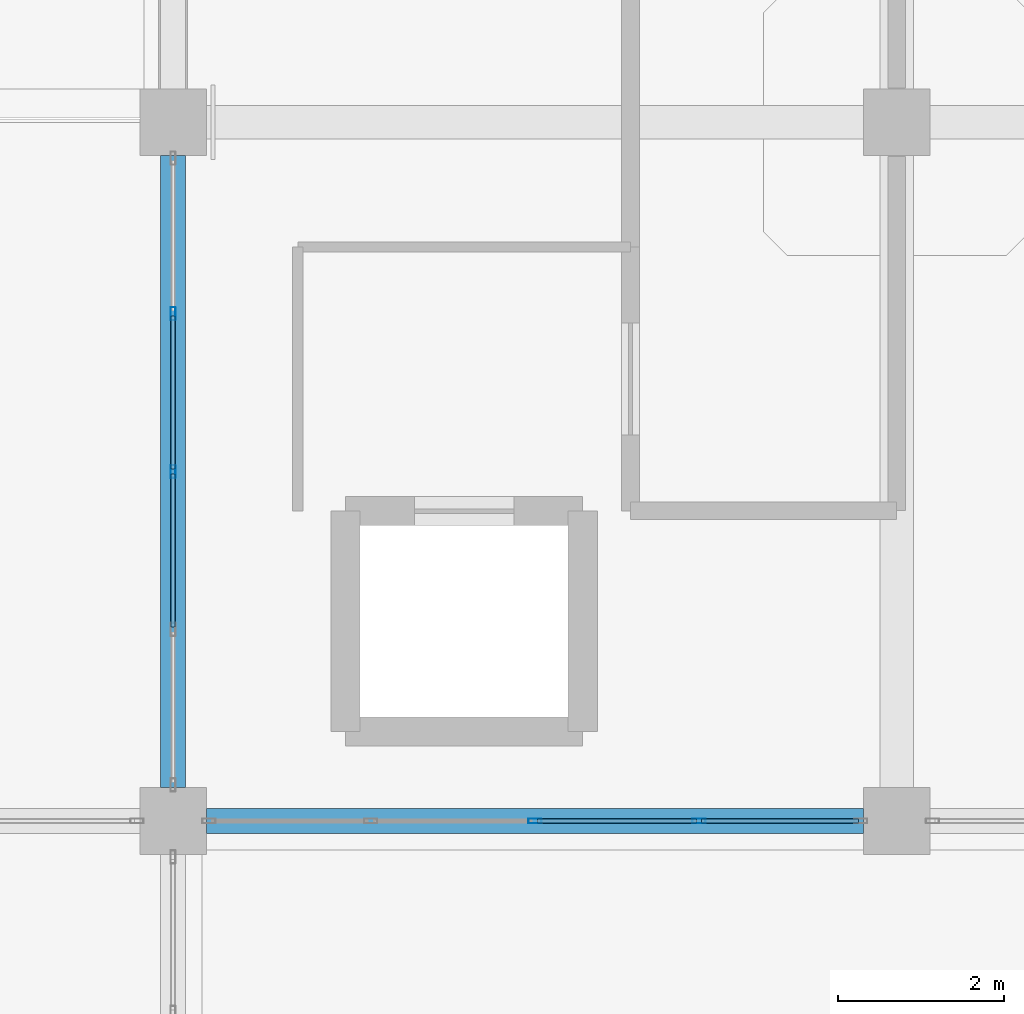
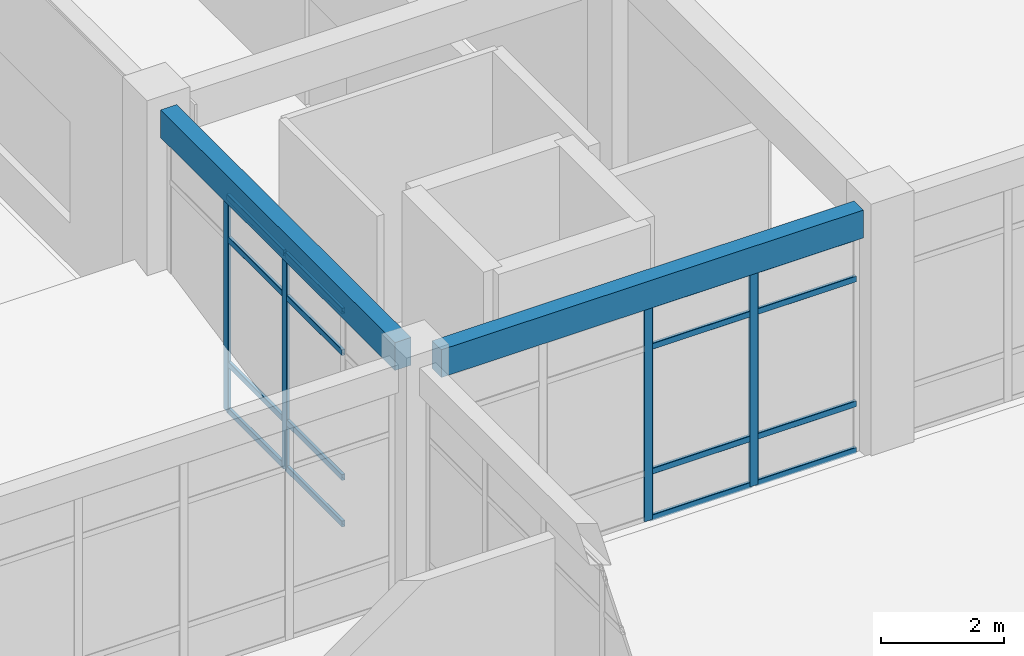
# One storey, part 58 of 124: 20 members, 2 beams, 2 elements without a shape of their own.
"""IFC4 building model written with IfcOpenShell, lengths in metres."""

from ifc_helpers import new_model, si_unit, derived_unit, direction, frame, origin, origin_2d, place, context, subcontext, project, spatial, rectangle, hollow_rectangle, extrude, material, layer, layer_set, material_profile, profile_set, type_object, element, aggregate, save


model = new_model("IFC4")

# Units and contexts
model_context = context("Model", 3, precision=1e-05, world=origin(), true_north=direction((0.0, 1.0)))
body_context = subcontext(model_context, "Body", "Model", "MODEL_VIEW")
ifc_project = project(units=[si_unit("LENGTHUNIT", "METRE"), si_unit("AREAUNIT", "SQUARE_METRE"), si_unit("VOLUMEUNIT", "CUBIC_METRE"), si_unit("PLANEANGLEUNIT", "RADIAN"), si_unit("MASSUNIT", "GRAM", prefix="KILO"), derived_unit("THERMALTRANSMITTANCEUNIT", [(si_unit("MASSUNIT", "GRAM", prefix="KILO"), 1), (si_unit("TIMEUNIT", "SECOND"), -3), (si_unit("THERMODYNAMICTEMPERATUREUNIT", "KELVIN"), -1)])], contexts=[model_context])

# Site, building, storey
site_placement = place(None, origin())
site = spatial("IfcSite", under=ifc_project, at=site_placement, CompositionType="ELEMENT")
building_placement = place(site_placement, origin())
building = spatial("IfcBuilding", under=site, at=building_placement, Name="Qinzheling Arcade Emporium", CompositionType="ELEMENT")
storey_placement = place(building_placement, frame((0.0, 0.0, 16.5)))
storey = spatial("IfcBuildingStorey", under=building, at=storey_placement, Name="L04", CompositionType="ELEMENT", Elevation=16.5)

# Curtain wall, members
ifc_material_1 = material(Name="Anodised aluminium and solar-control double glazing", Category="aluminium")
ifc_layer = layer(ifc_material_1, 0.159912109375, Name="Anodised aluminium and solar-control double glazing", Category="aluminium")
ifc_layer_set = layer_set([ifc_layer], Name="Anodised aluminium and solar-control double glazing")
curtain_wall_type = type_object("IfcCurtainWallType", Name="Arcade Portal Glazed Curtain Wall", PredefinedType="NOTDEFINED", material=ifc_layer_set)
curtain_wall_1_placement = place(storey_placement, origin())
curtain_wall_1 = element("IfcCurtainWall", 1, at=curtain_wall_1_placement, inside=storey, type_object=curtain_wall_type, Name="Curtain Wall CW-L04-260", PredefinedType="NOTDEFINED")
ifc_material_2 = material(Name="Anodised aluminium 6063-T6", Category="aluminium")
ifc_material_profile_1 = material_profile(ifc_material_2, hollow_rectangle(XDim=0.06005859375, YDim=0.159912109375, WallThickness=0.00390625, InnerFilletRadius=0.00390625, OuterFilletRadius=0.008056640625, at=origin_2d()), Name="RHS 160x60x4", Category="aluminium")
ifc_profile_set_1 = profile_set([ifc_material_profile_1], Name="Anodised aluminium 6063-T6")
member_type_1 = type_object("IfcMemberType", Name="Curtain Wall Mullion RHS160x60", PredefinedType="MULLION", material=ifc_profile_set_1)
member_1_placement = place(storey_placement, frame((104.39990234375, 78.0, 0.0), z_axis=(0.0, 0.0, 1.0), x_axis=(-1.0, 0.0, 0.0)))
member_1 = element("IfcMember", 2, at=member_1_placement, type_object=member_type_1, Name="CW05 mullion 3", PredefinedType="MULLION", context=body_context, shape_type="SweptSolid", body=[
    extrude(hollow_rectangle(XDim=0.06005859375, YDim=0.159912109375, WallThickness=0.00390625, InnerFilletRadius=0.00390625, OuterFilletRadius=0.008056640625, at=origin_2d()), origin(), (0.0, 0.0, 1.0), 4.27001953125),
])
member_2_placement = place(storey_placement, frame((104.39990234375, 79.89892578125, 0.0), z_axis=(0.0, 0.0, 1.0), x_axis=(-1.0, 0.0, 0.0)))
member_2 = element("IfcMember", 3, at=member_2_placement, type_object=member_type_1, Name="CW05 mullion 4", PredefinedType="MULLION", context=body_context, shape_type="SweptSolid", body=[
    extrude(hollow_rectangle(XDim=0.06005859375, YDim=0.159912109375, WallThickness=0.00390625, InnerFilletRadius=0.00390625, OuterFilletRadius=0.008056640625, at=origin_2d()), origin(), (0.0, 0.0, 1.0), 4.27001953125),
])

curtain_wall_2_placement = place(storey_placement, origin())
curtain_wall_2 = element("IfcCurtainWall", 4, at=curtain_wall_2_placement, inside=storey, type_object=curtain_wall_type, Name="Curtain Wall CW-L04-285", PredefinedType="NOTDEFINED")
member_3_placement = place(storey_placement, frame((110.72412109375, 73.800048828125, 0.0), z_axis=(0.0, 0.0, 1.0), x_axis=(0.0, -1.0, 0.0)))
member_3 = element("IfcMember", 5, at=member_3_placement, type_object=member_type_1, Name="CW05 mullion 2", PredefinedType="MULLION", context=body_context, shape_type="SweptSolid", body=[
    extrude(hollow_rectangle(XDim=0.06005859375, YDim=0.159912109375, WallThickness=0.00390625, InnerFilletRadius=0.00390625, OuterFilletRadius=0.008056640625, at=origin_2d()), origin(), (0.0, 0.0, 1.0), 4.27001953125),
])
member_4_placement = place(storey_placement, frame((108.75, 73.800048828125, 0.0), z_axis=(0.0, 0.0, 1.0), x_axis=(0.0, -1.0, 0.0)))
member_4 = element("IfcMember", 6, at=member_4_placement, type_object=member_type_1, Name="CW05 mullion 3", PredefinedType="MULLION", context=body_context, shape_type="SweptSolid", body=[
    extrude(hollow_rectangle(XDim=0.06005859375, YDim=0.159912109375, WallThickness=0.00390625, InnerFilletRadius=0.00390625, OuterFilletRadius=0.008056640625, at=origin_2d()), origin(), (0.0, 0.0, 1.0), 4.27001953125),
])

# Member
ifc_material_profile_2 = material_profile(ifc_material_2, hollow_rectangle(XDim=0.06005859375, YDim=0.1201171875, WallThickness=0.00390625, InnerFilletRadius=0.00390625, OuterFilletRadius=0.008056640625, at=origin_2d()), Name="RHS 120x60x4", Category="aluminium")
ifc_profile_set_2 = profile_set([ifc_material_profile_2], Name="Anodised aluminium 6063-T6")
member_type_2 = type_object("IfcMemberType", Name="Curtain Wall Transom RHS120x60", PredefinedType="USERDEFINED", material=ifc_profile_set_2)
member_5_placement = place(storey_placement, frame((104.39990234375, 76.131103515625, 0.030029296875), z_axis=(0.0, 1.0, 0.0), x_axis=(-1.0, 0.0, 0.0)))
member_5 = element("IfcMember", 7, at=member_5_placement, type_object=member_type_2, Name="CW05 transom 2.1", ObjectType="TRANSOM", PredefinedType="USERDEFINED", context=body_context, shape_type="SweptSolid", body=[
    extrude(hollow_rectangle(XDim=0.06005859375, YDim=0.1201171875, WallThickness=0.00390625, InnerFilletRadius=0.00390625, OuterFilletRadius=0.008056640625, at=origin_2d()), origin(), (0.0, 0.0, 1.0), 1.8388671875),
])

member_6_placement = place(storey_placement, frame((104.39990234375, 76.131103515625, 0.949951171875), z_axis=(0.0, 1.0, 0.0), x_axis=(-1.0, 0.0, 0.0)))
member_6 = element("IfcMember", 8, at=member_6_placement, type_object=member_type_2, Name="CW05 transom 2.2", ObjectType="TRANSOM", PredefinedType="USERDEFINED", context=body_context, shape_type="SweptSolid", body=[
    extrude(hollow_rectangle(XDim=0.06005859375, YDim=0.1201171875, WallThickness=0.00390625, InnerFilletRadius=0.00390625, OuterFilletRadius=0.008056640625, at=origin_2d()), origin(), (0.0, 0.0, 1.0), 1.8388671875),
])

member_7_placement = place(storey_placement, frame((104.39990234375, 76.131103515625, 3.419921875), z_axis=(0.0, 1.0, 0.0), x_axis=(-1.0, 0.0, 0.0)))
member_7 = element("IfcMember", 9, at=member_7_placement, type_object=member_type_2, Name="CW05 transom 2.3", ObjectType="TRANSOM", PredefinedType="USERDEFINED", context=body_context, shape_type="SweptSolid", body=[
    extrude(hollow_rectangle(XDim=0.06005859375, YDim=0.1201171875, WallThickness=0.00390625, InnerFilletRadius=0.00390625, OuterFilletRadius=0.008056640625, at=origin_2d()), origin(), (0.0, 0.0, 1.0), 1.8388671875),
])

member_8_placement = place(storey_placement, frame((104.39990234375, 76.131103515625, 4.239990234375), z_axis=(0.0, 1.0, 0.0), x_axis=(-1.0, 0.0, 0.0)))
member_8 = element("IfcMember", 10, at=member_8_placement, type_object=member_type_2, Name="CW05 transom 2.4", ObjectType="TRANSOM", PredefinedType="USERDEFINED", context=body_context, shape_type="SweptSolid", body=[
    extrude(hollow_rectangle(XDim=0.06005859375, YDim=0.1201171875, WallThickness=0.00390625, InnerFilletRadius=0.00390625, OuterFilletRadius=0.008056640625, at=origin_2d()), origin(), (0.0, 0.0, 1.0), 1.8388671875),
])

member_9_placement = place(storey_placement, frame((104.39990234375, 78.030029296875, 0.030029296875), z_axis=(0.0, 1.0, 0.0), x_axis=(-1.0, 0.0, 0.0)))
member_9 = element("IfcMember", 11, at=member_9_placement, type_object=member_type_2, Name="CW05 transom 3.1", ObjectType="TRANSOM", PredefinedType="USERDEFINED", context=body_context, shape_type="SweptSolid", body=[
    extrude(hollow_rectangle(XDim=0.06005859375, YDim=0.1201171875, WallThickness=0.00390625, InnerFilletRadius=0.00390625, OuterFilletRadius=0.008056640625, at=origin_2d()), origin(), (0.0, 0.0, 1.0), 1.8388671875),
])

member_10_placement = place(storey_placement, frame((104.39990234375, 78.030029296875, 0.949951171875), z_axis=(0.0, 1.0, 0.0), x_axis=(-1.0, 0.0, 0.0)))
member_10 = element("IfcMember", 12, at=member_10_placement, type_object=member_type_2, Name="CW05 transom 3.2", ObjectType="TRANSOM", PredefinedType="USERDEFINED", context=body_context, shape_type="SweptSolid", body=[
    extrude(hollow_rectangle(XDim=0.06005859375, YDim=0.1201171875, WallThickness=0.00390625, InnerFilletRadius=0.00390625, OuterFilletRadius=0.008056640625, at=origin_2d()), origin(), (0.0, 0.0, 1.0), 1.8388671875),
])

member_11_placement = place(storey_placement, frame((104.39990234375, 78.030029296875, 3.419921875), z_axis=(0.0, 1.0, 0.0), x_axis=(-1.0, 0.0, 0.0)))
member_11 = element("IfcMember", 13, at=member_11_placement, type_object=member_type_2, Name="CW05 transom 3.3", ObjectType="TRANSOM", PredefinedType="USERDEFINED", context=body_context, shape_type="SweptSolid", body=[
    extrude(hollow_rectangle(XDim=0.06005859375, YDim=0.1201171875, WallThickness=0.00390625, InnerFilletRadius=0.00390625, OuterFilletRadius=0.008056640625, at=origin_2d()), origin(), (0.0, 0.0, 1.0), 1.8388671875),
])

member_12_placement = place(storey_placement, frame((104.39990234375, 78.030029296875, 4.239990234375), z_axis=(0.0, 1.0, 0.0), x_axis=(-1.0, 0.0, 0.0)))
member_12 = element("IfcMember", 14, at=member_12_placement, type_object=member_type_2, Name="CW05 transom 3.4", ObjectType="TRANSOM", PredefinedType="USERDEFINED", context=body_context, shape_type="SweptSolid", body=[
    extrude(hollow_rectangle(XDim=0.06005859375, YDim=0.1201171875, WallThickness=0.00390625, InnerFilletRadius=0.00390625, OuterFilletRadius=0.008056640625, at=origin_2d()), origin(), (0.0, 0.0, 1.0), 1.8388671875),
])

aggregate(curtain_wall_1, [member_1, member_2, member_5, member_6, member_7, member_8, member_9, member_10, member_11, member_12])

member_13_placement = place(storey_placement, frame((112.637939453125, 73.800048828125, 0.030029296875), z_axis=(-1.0, 0.0, 0.0), x_axis=(0.0, -1.0, 0.0)))
member_13 = element("IfcMember", 15, at=member_13_placement, type_object=member_type_2, Name="CW05 transom 1.1", ObjectType="TRANSOM", PredefinedType="USERDEFINED", context=body_context, shape_type="SweptSolid", body=[
    extrude(hollow_rectangle(XDim=0.06005859375, YDim=0.1201171875, WallThickness=0.00390625, InnerFilletRadius=0.00390625, OuterFilletRadius=0.008056640625, at=origin_2d()), origin(), (0.0, 0.0, 1.0), 1.884033203125),
])

member_14_placement = place(storey_placement, frame((112.637939453125, 73.800048828125, 0.949951171875), z_axis=(-1.0, 0.0, 0.0), x_axis=(0.0, -1.0, 0.0)))
member_14 = element("IfcMember", 16, at=member_14_placement, type_object=member_type_2, Name="CW05 transom 1.2", ObjectType="TRANSOM", PredefinedType="USERDEFINED", context=body_context, shape_type="SweptSolid", body=[
    extrude(hollow_rectangle(XDim=0.06005859375, YDim=0.1201171875, WallThickness=0.00390625, InnerFilletRadius=0.00390625, OuterFilletRadius=0.008056640625, at=origin_2d()), origin(), (0.0, 0.0, 1.0), 1.884033203125),
])

member_15_placement = place(storey_placement, frame((112.637939453125, 73.800048828125, 3.419921875), z_axis=(-1.0, 0.0, 0.0), x_axis=(0.0, -1.0, 0.0)))
member_15 = element("IfcMember", 17, at=member_15_placement, type_object=member_type_2, Name="CW05 transom 1.3", ObjectType="TRANSOM", PredefinedType="USERDEFINED", context=body_context, shape_type="SweptSolid", body=[
    extrude(hollow_rectangle(XDim=0.06005859375, YDim=0.1201171875, WallThickness=0.00390625, InnerFilletRadius=0.00390625, OuterFilletRadius=0.008056640625, at=origin_2d()), origin(), (0.0, 0.0, 1.0), 1.884033203125),
])

member_16_placement = place(storey_placement, frame((112.637939453125, 73.800048828125, 4.239990234375), z_axis=(-1.0, 0.0, 0.0), x_axis=(0.0, -1.0, 0.0)))
member_16 = element("IfcMember", 18, at=member_16_placement, type_object=member_type_2, Name="CW05 transom 1.4", ObjectType="TRANSOM", PredefinedType="USERDEFINED", context=body_context, shape_type="SweptSolid", body=[
    extrude(hollow_rectangle(XDim=0.06005859375, YDim=0.1201171875, WallThickness=0.00390625, InnerFilletRadius=0.00390625, OuterFilletRadius=0.008056640625, at=origin_2d()), origin(), (0.0, 0.0, 1.0), 1.884033203125),
])

member_17_placement = place(storey_placement, frame((110.694091796875, 73.800048828125, 0.030029296875), z_axis=(-1.0, 0.0, 0.0), x_axis=(0.0, -1.0, 0.0)))
member_17 = element("IfcMember", 19, at=member_17_placement, type_object=member_type_2, Name="CW05 transom 2.1", ObjectType="TRANSOM", PredefinedType="USERDEFINED", context=body_context, shape_type="SweptSolid", body=[
    extrude(hollow_rectangle(XDim=0.06005859375, YDim=0.1201171875, WallThickness=0.00390625, InnerFilletRadius=0.00390625, OuterFilletRadius=0.008056640625, at=origin_2d()), origin(), (0.0, 0.0, 1.0), 1.9140625),
])

member_18_placement = place(storey_placement, frame((110.694091796875, 73.800048828125, 0.949951171875), z_axis=(-1.0, 0.0, 0.0), x_axis=(0.0, -1.0, 0.0)))
member_18 = element("IfcMember", 20, at=member_18_placement, type_object=member_type_2, Name="CW05 transom 2.2", ObjectType="TRANSOM", PredefinedType="USERDEFINED", context=body_context, shape_type="SweptSolid", body=[
    extrude(hollow_rectangle(XDim=0.06005859375, YDim=0.1201171875, WallThickness=0.00390625, InnerFilletRadius=0.00390625, OuterFilletRadius=0.008056640625, at=origin_2d()), origin(), (0.0, 0.0, 1.0), 1.9140625),
])

member_19_placement = place(storey_placement, frame((110.694091796875, 73.800048828125, 3.419921875), z_axis=(-1.0, 0.0, 0.0), x_axis=(0.0, -1.0, 0.0)))
member_19 = element("IfcMember", 21, at=member_19_placement, type_object=member_type_2, Name="CW05 transom 2.3", ObjectType="TRANSOM", PredefinedType="USERDEFINED", context=body_context, shape_type="SweptSolid", body=[
    extrude(hollow_rectangle(XDim=0.06005859375, YDim=0.1201171875, WallThickness=0.00390625, InnerFilletRadius=0.00390625, OuterFilletRadius=0.008056640625, at=origin_2d()), origin(), (0.0, 0.0, 1.0), 1.9140625),
])

member_20_placement = place(storey_placement, frame((110.694091796875, 73.800048828125, 4.239990234375), z_axis=(-1.0, 0.0, 0.0), x_axis=(0.0, -1.0, 0.0)))
member_20 = element("IfcMember", 22, at=member_20_placement, type_object=member_type_2, Name="CW05 transom 2.4", ObjectType="TRANSOM", PredefinedType="USERDEFINED", context=body_context, shape_type="SweptSolid", body=[
    extrude(hollow_rectangle(XDim=0.06005859375, YDim=0.1201171875, WallThickness=0.00390625, InnerFilletRadius=0.00390625, OuterFilletRadius=0.008056640625, at=origin_2d()), origin(), (0.0, 0.0, 1.0), 1.9140625),
])

aggregate(curtain_wall_2, [member_3, member_4, member_13, member_14, member_15, member_16, member_17, member_18, member_19, member_20])

# Beams
ifc_material_3 = material(Name="Concrete C40", Category="concrete")
ifc_material_profile_3 = material_profile(ifc_material_3, rectangle(XDim=0.300048828125, YDim=0.550048828125, at=origin_2d()), Name="RC 300x550", Category="concrete")
ifc_profile_set_3 = profile_set([ifc_material_profile_3], Name="Concrete C40")
beam_type = type_object("IfcBeamType", Name="RC Terrace Spandrel Beam 300x550 C40", PredefinedType="SPANDREL", material=ifc_profile_set_3)
beam_1_placement = place(storey_placement, frame((104.800048828125, 73.800048828125, 4.56005859375), z_axis=(1.0, 0.0, 0.0), x_axis=(0.0, 1.0, 0.0)))
element("IfcBeam", 23, at=beam_1_placement, inside=storey, type_object=beam_type, Name="Beam BM-L04-X-J-13", PredefinedType="SPANDREL", context=body_context, shape_type="SweptSolid", body=[
    extrude(rectangle(XDim=0.300048828125, YDim=0.550048828125, at=origin_2d()), origin(), (0.0, 0.0, 1.0), 7.89990234375),
])
beam_2_placement = place(storey_placement, frame((104.39990234375, 74.199951171875, 4.56005859375), z_axis=(0.0, 1.0, 0.0), x_axis=(-1.0, 0.0, 0.0)))
element("IfcBeam", 24, at=beam_2_placement, inside=storey, type_object=beam_type, Name="Beam BM-L04-Y-13-J", PredefinedType="SPANDREL", context=body_context, shape_type="SweptSolid", body=[
    extrude(rectangle(XDim=0.300048828125, YDim=0.550048828125, at=origin_2d()), origin(), (0.0, 0.0, 1.0), 7.60009765625),
])

save(model, "model.ifc")
